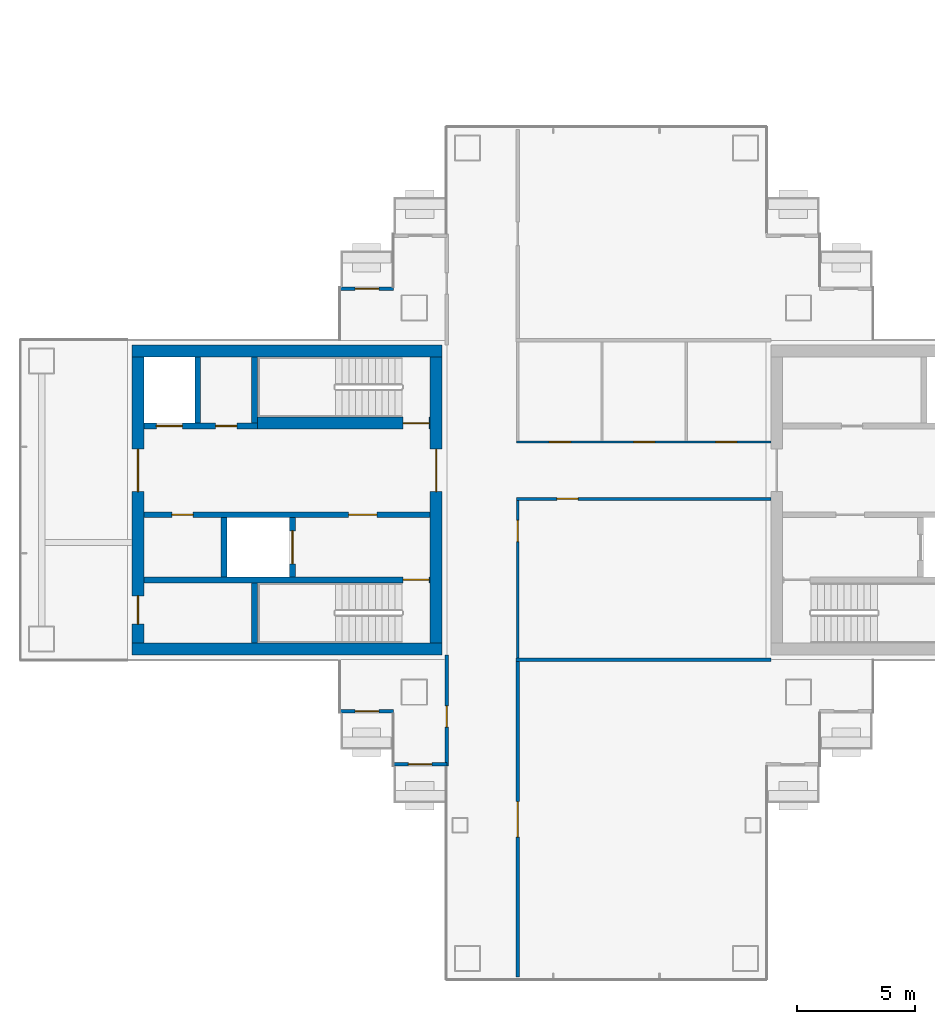
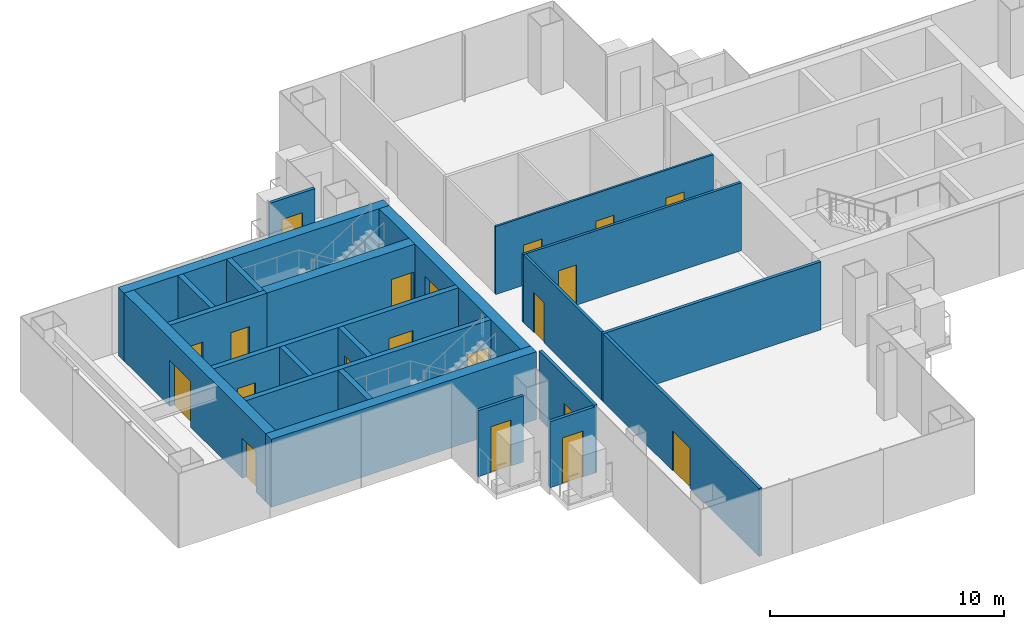
# One storey, part 9 of 17: 22 walls, 20 doors, 20 openings.
"""IFC4 building model written with IfcOpenShell, lengths in metres."""

from ifc_helpers import new_model, si_unit, direction, frame, frame_2d, origin, place, context, subcontext, project, spatial, rectangle, extrude, material, layer, layer_set, type_object, element, fill, save


model = new_model("IFC4")

# Units and contexts
model_context = context("Model", 3, precision=1e-05, world=origin(), true_north=direction((0.0, 1.0)))
body_context = subcontext(model_context, "Body", "Model", "MODEL_VIEW")
ifc_project = project(units=[si_unit("LENGTHUNIT", "METRE"), si_unit("AREAUNIT", "SQUARE_METRE"), si_unit("VOLUMEUNIT", "CUBIC_METRE"), si_unit("PLANEANGLEUNIT", "RADIAN"), si_unit("MASSUNIT", "GRAM", prefix="KILO")], contexts=[model_context])

# Site, building, storey
site_placement = place(None, origin())
site = spatial("IfcSite", under=ifc_project, at=site_placement, CompositionType="ELEMENT")
building_placement = place(site_placement, origin())
building = spatial("IfcBuilding", under=site, at=building_placement, Name="Shamsa Quay Exchange Towers", CompositionType="ELEMENT")
storey_placement = place(building_placement, frame((0.0, 0.0, 170.10009765625)))
storey = spatial("IfcBuildingStorey", under=building, at=storey_placement, Name="L40", CompositionType="ELEMENT", Elevation=170.10009765625)

# Wall, opening, door
ifc_material_1 = material(Name="Aluminium EN AW-6063 T6, black anodised, with black enamelled glass infill", Category="aluminium")
ifc_layer_1 = layer(ifc_material_1, 0.14990234375)
ifc_layer_set_1 = layer_set([ifc_layer_1], Name="BALCONY DOOR BAY WALL 150")
wall_type_1 = type_object("IfcWallType", Name="BALCONY DOOR BAY WALL 150", PredefinedType="SOLIDWALL", material=ifc_layer_set_1)
wall_1_placement = place(storey_placement, frame((-45.0, 8.925048828125, 0.0)))
wall_1 = element("IfcWall", 1, at=wall_1_placement, inside=storey, type_object=wall_type_1, Name="Door bay T1-PKWN L40", PredefinedType="SOLIDWALL", context=body_context, shape_type="SweptSolid", body=[
    extrude(rectangle(XDim=2.25, YDim=0.14990234375, at=frame_2d((1.125, 0.0))), origin(), (0.0, 0.0, 1.0), 3.449951171875),
])
opening_1_placement = place(wall_1_placement, frame((0.625, 0.0, 0.0)))
opening_1 = element("IfcOpeningElement", 2, at=opening_1_placement, cuts=wall_1, Name="Opening XD246", PredefinedType="OPENING", context=body_context, shape_type="SweptSolid", body=[
    extrude(rectangle(XDim=1.0, YDim=2.39990234375, at=frame_2d((0.5, 1.199951171875))), frame((0.0, 0.0849609375, 0.0), z_axis=(0.0, -1.0, 0.0), x_axis=(1.0, 0.0, 0.0)), (0.0, 0.0, 1.0), 0.169921875),
])
ifc_material_2 = material(Name="Aluminium EN AW-6063 T6, black anodised, with laminated glass leaf", Category="aluminium")
door_type_1 = type_object("IfcDoorType", Name="BALCONY DOOR 1000x2400", OperationType="SINGLE_SWING_LEFT", PredefinedType="DOOR", material=ifc_material_2)
door_1_placement = place(opening_1_placement, origin())
door_1 = element("IfcDoor", 3, at=door_1_placement, inside=storey, type_object=door_type_1, Name="Balcony door T1-PKWN L40", OperationType="SINGLE_SWING_RIGHT", OverallHeight=2.39990234375, OverallWidth=1.0, PredefinedType="DOOR", context=body_context, shape_type="SweptSolid", body=[
    extrude(rectangle(XDim=1.0, YDim=2.39990234375, at=frame_2d((0.5, 1.199951171875))), frame((0.0, 0.02490234375, 0.0), z_axis=(0.0, -1.0, 0.0), x_axis=(1.0, 0.0, 0.0)), (0.0, 0.0, 1.0), 0.050048828125),
])
fill(opening_1, door_1)

wall_2_placement = place(storey_placement, frame((-42.75, -8.925048828125, 0.0), z_axis=(0.0, 0.0, 1.0), x_axis=(-1.0, 0.0, 0.0)))
wall_2 = element("IfcWall", 4, at=wall_2_placement, inside=storey, type_object=wall_type_1, Name="Door bay T1-PKWS L40", PredefinedType="SOLIDWALL", context=body_context, shape_type="SweptSolid", body=[
    extrude(rectangle(XDim=2.25, YDim=0.14990234375, at=frame_2d((1.125, 0.0))), origin(), (0.0, 0.0, 1.0), 3.449951171875),
])
opening_2_placement = place(wall_2_placement, frame((0.625, 0.0, 0.0)))
opening_2 = element("IfcOpeningElement", 5, at=opening_2_placement, cuts=wall_2, Name="Opening XD247", PredefinedType="OPENING", context=body_context, shape_type="SweptSolid", body=[
    extrude(rectangle(XDim=1.0, YDim=2.39990234375, at=frame_2d((0.5, 1.199951171875))), frame((0.0, 0.0849609375, 0.0), z_axis=(0.0, -1.0, 0.0), x_axis=(1.0, 0.0, 0.0)), (0.0, 0.0, 1.0), 0.169921875),
])
door_2_placement = place(opening_2_placement, origin())
door_2 = element("IfcDoor", 6, at=door_2_placement, inside=storey, type_object=door_type_1, Name="Balcony door T1-PKWS L40", OperationType="SINGLE_SWING_LEFT", OverallHeight=2.39990234375, OverallWidth=1.0, PredefinedType="DOOR", context=body_context, shape_type="SweptSolid", body=[
    extrude(rectangle(XDim=1.0, YDim=2.39990234375, at=frame_2d((0.5, 1.199951171875))), frame((0.0, 0.02490234375, 0.0), z_axis=(0.0, -1.0, 0.0), x_axis=(1.0, 0.0, 0.0)), (0.0, 0.0, 1.0), 0.050048828125),
])
fill(opening_2, door_2)

wall_3_placement = place(storey_placement, frame((-40.5, -11.175048828125, 0.0), z_axis=(0.0, 0.0, 1.0), x_axis=(-1.0, 0.0, 0.0)))
wall_3 = element("IfcWall", 7, at=wall_3_placement, inside=storey, type_object=wall_type_1, Name="Door bay T1-PKWS L40", PredefinedType="SOLIDWALL", context=body_context, shape_type="SweptSolid", body=[
    extrude(rectangle(XDim=2.25, YDim=0.14990234375, at=frame_2d((1.125, 0.0))), origin(), (0.0, 0.0, 1.0), 3.449951171875),
])
opening_3_placement = place(wall_3_placement, frame((0.625, 0.0, 0.0)))
opening_3 = element("IfcOpeningElement", 8, at=opening_3_placement, cuts=wall_3, Name="Opening XD248", PredefinedType="OPENING", context=body_context, shape_type="SweptSolid", body=[
    extrude(rectangle(XDim=1.0, YDim=2.39990234375, at=frame_2d((0.5, 1.199951171875))), frame((0.0, 0.0849609375, 0.0), z_axis=(0.0, -1.0, 0.0), x_axis=(1.0, 0.0, 0.0)), (0.0, 0.0, 1.0), 0.169921875),
])
door_3_placement = place(opening_3_placement, origin())
door_3 = element("IfcDoor", 9, at=door_3_placement, inside=storey, type_object=door_type_1, Name="Balcony door T1-PKWS L40", OperationType="SINGLE_SWING_RIGHT", OverallHeight=2.39990234375, OverallWidth=1.0, PredefinedType="DOOR", context=body_context, shape_type="SweptSolid", body=[
    extrude(rectangle(XDim=1.0, YDim=2.39990234375, at=frame_2d((0.5, 1.199951171875))), frame((0.0, 0.02490234375, 0.0), z_axis=(0.0, -1.0, 0.0), x_axis=(1.0, 0.0, 0.0)), (0.0, 0.0, 1.0), 0.050048828125),
])
fill(opening_3, door_3)

# Walls
ifc_material_3 = material(Name="Concrete C60/75", Category="concrete")
ifc_layer_2 = layer(ifc_material_3, 0.5)
ifc_layer_set_2 = layer_set([ifc_layer_2], Name="CORE WALL 500 C60/75")
wall_type_2 = type_object("IfcWallType", Name="CORE WALL 500 C60/75", PredefinedType="SHEAR", material=ifc_layer_set_2)
for number, where, z_axis, x_axis, name in (
    (10, (-40.699951171875, -6.300048828125, 0.0), (0.0, 0.0, 1.0), (-1.0, 0.0, 0.0), "Core wall T1B-R19-PS"),
    (11, (-40.699951171875, 6.300048828125, 0.0), (0.0, 0.0, 1.0), (-1.0, 0.0, 0.0), "Core wall T1B-R19-PN"),
):
    element("IfcWall", number, at=place(storey_placement, frame(where, z_axis=z_axis, x_axis=x_axis)), inside=storey, type_object=wall_type_2, Name=name, PredefinedType="SHEAR", context=body_context, shape_type="SweptSolid", body=[
        extrude(rectangle(XDim=13.10009765625, YDim=0.5, at=frame_2d((6.550048828125, 0.0))), origin(), (0.0, 0.0, 1.0), 3.5498046875),
    ])

# Wall, opening, door
wall_4_placement = place(storey_placement, frame((-40.949951171875, -6.050048828125, 0.0), z_axis=(0.0, 0.0, 1.0), x_axis=(0.0, 1.0, 0.0)))
wall_4 = element("IfcWall", 12, at=wall_4_placement, inside=storey, type_object=wall_type_2, Name="Core wall T1B-R19-PF", PredefinedType="SHEAR", context=body_context, shape_type="SweptSolid", body=[
    extrude(rectangle(XDim=12.10009765625, YDim=0.5, at=frame_2d((6.050048828125, 0.0))), origin(), (0.0, 0.0, 1.0), 3.5498046875),
])
opening_4_placement = place(wall_4_placement, frame((6.39990234375, 0.0, 0.0)))
opening_4 = element("IfcOpeningElement", 13, at=opening_4_placement, cuts=wall_4, Name="Opening T1B-R19-LBD01", PredefinedType="OPENING", context=body_context, shape_type="SweptSolid", body=[
    extrude(rectangle(XDim=1.800048828125, YDim=2.39990234375, at=frame_2d((0.89990234375, 1.199951171875))), frame((0.0, 0.260009765625, 0.0), z_axis=(0.0, -1.0, 0.0), x_axis=(1.0, 0.0, 0.0)), (0.0, 0.0, 1.0), 0.52001953125),
])
ifc_material_4 = material(Name="Steel, fire rated", Category="steel")
door_type_2 = type_object("IfcDoorType", Name="LIFT LOBBY DOOR PAIR 1800", OperationType="DOUBLE_DOOR_SINGLE_SWING", PredefinedType="DOOR", material=ifc_material_4)
door_4_placement = place(opening_4_placement, origin())
door_4 = element("IfcDoor", 14, at=door_4_placement, inside=storey, type_object=door_type_2, Name="T1B-R19-LBD01", OperationType="DOUBLE_DOOR_SINGLE_SWING", OverallHeight=2.39990234375, OverallWidth=1.800048828125, PredefinedType="DOOR", context=body_context, shape_type="SweptSolid", body=[
    extrude(rectangle(XDim=1.800048828125, YDim=2.39990234375, at=frame_2d((0.89990234375, 1.199951171875))), frame((0.0, 0.02490234375, 0.0), z_axis=(0.0, -1.0, 0.0), x_axis=(1.0, 0.0, 0.0)), (0.0, 0.0, 1.0), 0.050048828125),
])
fill(opening_4, door_4)

# Wall, openings, doors
wall_5_placement = place(storey_placement, frame((-53.550048828125, -6.050048828125, 0.0), z_axis=(0.0, 0.0, 1.0), x_axis=(0.0, 1.0, 0.0)))
wall_5 = element("IfcWall", 15, at=wall_5_placement, inside=storey, type_object=wall_type_2, Name="Core wall T1B-R19-PB", PredefinedType="SHEAR", context=body_context, shape_type="SweptSolid", body=[
    extrude(rectangle(XDim=12.10009765625, YDim=0.5, at=frame_2d((6.050048828125, 0.0))), origin(), (0.0, 0.0, 1.0), 3.5498046875),
])
opening_5_placement = place(wall_5_placement, frame((0.800048828125, 0.0, 0.0)))
opening_5 = element("IfcOpeningElement", 16, at=opening_5_placement, cuts=wall_5, Name="Opening T1B-R19-RD02", PredefinedType="OPENING", context=body_context, shape_type="SweptSolid", body=[
    extrude(rectangle(XDim=1.199951171875, YDim=2.10009765625, at=frame_2d((0.60009765625, 1.050048828125))), frame((0.0, 0.260009765625, 0.0), z_axis=(0.0, -1.0, 0.0), x_axis=(1.0, 0.0, 0.0)), (0.0, 0.0, 1.0), 0.52001953125),
])
opening_6_placement = place(wall_5_placement, frame((6.39990234375, 0.0, 0.0)))
opening_6 = element("IfcOpeningElement", 17, at=opening_6_placement, cuts=wall_5, Name="Opening T1B-R19-LBD03", PredefinedType="OPENING", context=body_context, shape_type="SweptSolid", body=[
    extrude(rectangle(XDim=1.800048828125, YDim=2.39990234375, at=frame_2d((0.89990234375, 1.199951171875))), frame((0.0, 0.260009765625, 0.0), z_axis=(0.0, -1.0, 0.0), x_axis=(1.0, 0.0, 0.0)), (0.0, 0.0, 1.0), 0.52001953125),
])
door_5_placement = place(opening_6_placement, origin())
door_5 = element("IfcDoor", 18, at=door_5_placement, inside=storey, type_object=door_type_2, Name="T1B-R19-LBD03", OperationType="DOUBLE_DOOR_SINGLE_SWING", OverallHeight=2.39990234375, OverallWidth=1.800048828125, PredefinedType="DOOR", context=body_context, shape_type="SweptSolid", body=[
    extrude(rectangle(XDim=1.800048828125, YDim=2.39990234375, at=frame_2d((0.89990234375, 1.199951171875))), frame((0.0, 0.02490234375, 0.0), z_axis=(0.0, -1.0, 0.0), x_axis=(1.0, 0.0, 0.0)), (0.0, 0.0, 1.0), 0.050048828125),
])
fill(opening_6, door_5)
door_type_3 = type_object("IfcDoorType", Name="RISER ACCESS DOOR 1200", OperationType="SINGLE_SWING_LEFT", PredefinedType="DOOR", material=ifc_material_4)
door_6_placement = place(opening_5_placement, origin())
door_6 = element("IfcDoor", 19, at=door_6_placement, inside=storey, type_object=door_type_3, Name="T1B-R19-RD02", OperationType="SINGLE_SWING_LEFT", OverallHeight=2.10009765625, OverallWidth=1.199951171875, PredefinedType="DOOR", context=body_context, shape_type="SweptSolid", body=[
    extrude(rectangle(XDim=1.199951171875, YDim=2.10009765625, at=frame_2d((0.60009765625, 1.050048828125))), frame((0.0, 0.02490234375, 0.0), z_axis=(0.0, -1.0, 0.0), x_axis=(1.0, 0.0, 0.0)), (0.0, 0.0, 1.0), 0.050048828125),
])
fill(opening_5, door_6)

# Wall, opening, door
ifc_material_5 = material(Name="Laminated fire-resisting glass in a metal frame", Category="glass")
ifc_layer_3 = layer(ifc_material_5, 0.125)
ifc_layer_set_3 = layer_set([ifc_layer_3], Name="Glazed partition 125 mm EI 60")
wall_type_3 = type_object("IfcWallType", Name="Glazed partition 125 mm EI 60", PredefinedType="PARTITIONING", material=ifc_layer_set_3)
wall_6_placement = place(storey_placement, frame((-37.5625, 0.0498046875, 0.0)))
wall_6 = element("IfcWall", 20, at=wall_6_placement, inside=storey, type_object=wall_type_3, Name="Partition T1-R19-W05", PredefinedType="PARTITIONING", context=body_context, shape_type="SweptSolid", body=[
    extrude(rectangle(XDim=10.762451171875, YDim=0.125, at=frame_2d((5.38134765625, 0.0))), origin(), (0.0, 0.0, 1.0), 3.5498046875),
])
opening_7_placement = place(wall_6_placement, frame((1.71240234375, 0.0, 0.0)))
opening_7 = element("IfcOpeningElement", 21, at=opening_7_placement, cuts=wall_6, Name="Opening T1-R19-D05", PredefinedType="OPENING", context=body_context, shape_type="SweptSolid", body=[
    extrude(rectangle(XDim=0.89990234375, YDim=2.10009765625, at=frame_2d((0.449951171875, 1.050048828125))), frame((0.0, 0.072509765625, 0.0), z_axis=(0.0, -1.0, 0.0), x_axis=(1.0, 0.0, 0.0)), (0.0, 0.0, 1.0), 0.14501953125),
])
ifc_material_6 = material(Name="Timber door leaf in a metal frame", Category="wood")
door_type_4 = type_object("IfcDoorType", Name="Door 900x2100 FD30S", OperationType="NOTDEFINED", PredefinedType="DOOR", material=ifc_material_6)
door_7_placement = place(opening_7_placement, origin())
door_7 = element("IfcDoor", 22, at=door_7_placement, inside=storey, type_object=door_type_4, Name="Door T1-R19-D05", OperationType="SINGLE_SWING_LEFT", OverallHeight=2.10009765625, OverallWidth=0.89990234375, PredefinedType="DOOR", context=body_context, shape_type="SweptSolid", body=[
    extrude(rectangle(XDim=0.89990234375, YDim=2.10009765625, at=frame_2d((0.449951171875, 1.050048828125))), frame((0.0, 0.02490234375, 0.0), z_axis=(0.0, -1.0, 0.0), x_axis=(1.0, 0.0, 0.0)), (0.0, 0.0, 1.0), 0.050048828125),
])
fill(opening_7, door_7)

wall_7_placement = place(storey_placement, frame((-37.5, -6.675048828125, 0.0), z_axis=(0.0, 0.0, 1.0), x_axis=(0.0, 1.0, 0.0)))
wall_7 = element("IfcWall", 23, at=wall_7_placement, inside=storey, type_object=wall_type_3, Name="Partition T1-R19-W06", PredefinedType="PARTITIONING", context=body_context, shape_type="SweptSolid", body=[
    extrude(rectangle(XDim=6.662353515625, YDim=0.125, at=frame_2d((3.3310546875, 0.0))), origin(), (0.0, 0.0, 1.0), 3.5498046875),
])
opening_8_placement = place(wall_7_placement, frame((4.914794921875, 0.0, 0.0)))
opening_8 = element("IfcOpeningElement", 24, at=opening_8_placement, cuts=wall_7, Name="Opening T1-R19-D03", PredefinedType="OPENING", context=body_context, shape_type="SweptSolid", body=[
    extrude(rectangle(XDim=0.89990234375, YDim=2.10009765625, at=frame_2d((0.449951171875, 1.050048828125))), frame((0.0, 0.072509765625, 0.0), z_axis=(0.0, -1.0, 0.0), x_axis=(1.0, 0.0, 0.0)), (0.0, 0.0, 1.0), 0.14501953125),
])
door_8_placement = place(opening_8_placement, origin())
door_8 = element("IfcDoor", 25, at=door_8_placement, inside=storey, type_object=door_type_4, Name="Door T1-R19-D03", OperationType="SINGLE_SWING_RIGHT", OverallHeight=2.10009765625, OverallWidth=0.89990234375, PredefinedType="DOOR", context=body_context, shape_type="SweptSolid", body=[
    extrude(rectangle(XDim=0.89990234375, YDim=2.10009765625, at=frame_2d((0.449951171875, 1.050048828125))), frame((0.0, 0.02490234375, 0.0), z_axis=(0.0, -1.0, 0.0), x_axis=(1.0, 0.0, 0.0)), (0.0, 0.0, 1.0), 0.050048828125),
])
fill(opening_8, door_8)

# Wall, openings, doors
ifc_material_7 = material(Name="Gypsum board partition on metal studs")
ifc_layer_4 = layer(ifc_material_7, 0.10009765625)
ifc_layer_set_4 = layer_set([ifc_layer_4], Name="Partition 100 mm NOT RATED")
wall_type_4 = type_object("IfcWallType", Name="Partition 100 mm NOT RATED", PredefinedType="PARTITIONING", material=ifc_layer_set_4)
wall_8_placement = place(storey_placement, frame((-37.550048828125, 2.4501953125, 0.0)))
wall_8 = element("IfcWall", 26, at=wall_8_placement, inside=storey, type_object=wall_type_4, Name="Partition T1-R19-W04", PredefinedType="PARTITIONING", context=body_context, shape_type="SweptSolid", body=[
    extrude(rectangle(XDim=10.75, YDim=0.10009765625, at=frame_2d((5.375, 0.0))), origin(), (0.0, 0.0, 1.0), 3.5498046875),
])
opening_9_placement = place(wall_8_placement, frame((1.38134765625, 0.0, 0.0)))
opening_9 = element("IfcOpeningElement", 27, at=opening_9_placement, cuts=wall_8, Name="Opening T1-R19-D06", PredefinedType="OPENING", context=body_context, shape_type="SweptSolid", body=[
    extrude(rectangle(XDim=0.89990234375, YDim=2.10009765625, at=frame_2d((0.449951171875, 1.050048828125))), frame((0.0, 0.06005859375, 0.0), z_axis=(0.0, -1.0, 0.0), x_axis=(1.0, 0.0, 0.0)), (0.0, 0.0, 1.0), 0.1201171875),
])
opening_10_placement = place(wall_8_placement, frame((4.943603515625, 0.0, 0.0)))
opening_10 = element("IfcOpeningElement", 28, at=opening_10_placement, cuts=wall_8, Name="Opening T1-R19-D07", PredefinedType="OPENING", context=body_context, shape_type="SweptSolid", body=[
    extrude(rectangle(XDim=0.89990234375, YDim=2.10009765625, at=frame_2d((0.449951171875, 1.050048828125))), frame((0.0, 0.06005859375, 0.0), z_axis=(0.0, -1.0, 0.0), x_axis=(1.0, 0.0, 0.0)), (0.0, 0.0, 1.0), 0.1201171875),
])
opening_11_placement = place(wall_8_placement, frame((8.41259765625, 0.0, 0.0)))
opening_11 = element("IfcOpeningElement", 29, at=opening_11_placement, cuts=wall_8, Name="Opening T1-R19-D08", PredefinedType="OPENING", context=body_context, shape_type="SweptSolid", body=[
    extrude(rectangle(XDim=0.89990234375, YDim=2.10009765625, at=frame_2d((0.449951171875, 1.050048828125))), frame((0.0, 0.06005859375, 0.0), z_axis=(0.0, -1.0, 0.0), x_axis=(1.0, 0.0, 0.0)), (0.0, 0.0, 1.0), 0.1201171875),
])
door_type_5 = type_object("IfcDoorType", Name="Door 900x2100 NOT RATED", OperationType="NOTDEFINED", PredefinedType="DOOR", material=ifc_material_6)
door_9_placement = place(opening_9_placement, origin())
door_9 = element("IfcDoor", 30, at=door_9_placement, inside=storey, type_object=door_type_5, Name="Door T1-R19-D06", OperationType="SINGLE_SWING_LEFT", OverallHeight=2.10009765625, OverallWidth=0.89990234375, PredefinedType="DOOR", context=body_context, shape_type="SweptSolid", body=[
    extrude(rectangle(XDim=0.89990234375, YDim=2.10009765625, at=frame_2d((0.449951171875, 1.050048828125))), frame((0.0, 0.02490234375, 0.0), z_axis=(0.0, -1.0, 0.0), x_axis=(1.0, 0.0, 0.0)), (0.0, 0.0, 1.0), 0.050048828125),
])
fill(opening_9, door_9)
door_10_placement = place(opening_10_placement, origin())
door_10 = element("IfcDoor", 31, at=door_10_placement, inside=storey, type_object=door_type_5, Name="Door T1-R19-D07", OperationType="SINGLE_SWING_LEFT", OverallHeight=2.10009765625, OverallWidth=0.89990234375, PredefinedType="DOOR", context=body_context, shape_type="SweptSolid", body=[
    extrude(rectangle(XDim=0.89990234375, YDim=2.10009765625, at=frame_2d((0.449951171875, 1.050048828125))), frame((0.0, 0.02490234375, 0.0), z_axis=(0.0, -1.0, 0.0), x_axis=(1.0, 0.0, 0.0)), (0.0, 0.0, 1.0), 0.050048828125),
])
fill(opening_10, door_10)
door_11_placement = place(opening_11_placement, origin())
door_11 = element("IfcDoor", 32, at=door_11_placement, inside=storey, type_object=door_type_5, Name="Door T1-R19-D08", OperationType="SINGLE_SWING_RIGHT", OverallHeight=2.10009765625, OverallWidth=0.89990234375, PredefinedType="DOOR", context=body_context, shape_type="SweptSolid", body=[
    extrude(rectangle(XDim=0.89990234375, YDim=2.10009765625, at=frame_2d((0.449951171875, 1.050048828125))), frame((0.0, 0.02490234375, 0.0), z_axis=(0.0, -1.0, 0.0), x_axis=(1.0, 0.0, 0.0)), (0.0, 0.0, 1.0), 0.050048828125),
])
fill(opening_11, door_11)

# Wall, opening, door
ifc_layer_5 = layer(ifc_material_7, 0.14990234375)
ifc_layer_set_5 = layer_set([ifc_layer_5], Name="Partition 150 mm EI 60")
wall_type_5 = type_object("IfcWallType", Name="Partition 150 mm EI 60", PredefinedType="PARTITIONING", material=ifc_layer_set_5)
wall_9_placement = place(storey_placement, frame((-37.5, -6.824951171875, 0.0), z_axis=(0.0, 0.0, 1.0), x_axis=(0.0, -1.0, 0.0)))
wall_9 = element("IfcWall", 33, at=wall_9_placement, inside=storey, type_object=wall_type_5, Name="Partition T1-R19-W02", PredefinedType="PARTITIONING", context=body_context, shape_type="SweptSolid", body=[
    extrude(rectangle(XDim=13.330078125, YDim=0.14990234375, at=frame_2d((6.6650390625, 0.0))), origin(), (0.0, 0.0, 1.0), 3.5498046875),
])
opening_12_placement = place(wall_9_placement, frame((5.925048828125, 0.0, 0.0)))
opening_12 = element("IfcOpeningElement", 34, at=opening_12_placement, cuts=wall_9, Name="Opening T1-R19-D04", PredefinedType="OPENING", context=body_context, shape_type="SweptSolid", body=[
    extrude(rectangle(XDim=1.5, YDim=2.10009765625, at=frame_2d((0.75, 1.050048828125))), frame((0.0, 0.0849609375, 0.0), z_axis=(0.0, -1.0, 0.0), x_axis=(1.0, 0.0, 0.0)), (0.0, 0.0, 1.0), 0.169921875),
])
door_type_6 = type_object("IfcDoorType", Name="Door 1500x2100 FD30S pair", OperationType="NOTDEFINED", PredefinedType="DOOR", material=ifc_material_6)
door_12_placement = place(opening_12_placement, origin())
door_12 = element("IfcDoor", 35, at=door_12_placement, inside=storey, type_object=door_type_6, Name="Door T1-R19-D04", OperationType="DOUBLE_DOOR_SINGLE_SWING", OverallHeight=2.10009765625, OverallWidth=1.5, PredefinedType="DOOR", context=body_context, shape_type="SweptSolid", body=[
    extrude(rectangle(XDim=1.5, YDim=2.10009765625, at=frame_2d((0.75, 1.050048828125))), frame((0.0, 0.02490234375, 0.0), z_axis=(0.0, -1.0, 0.0), x_axis=(1.0, 0.0, 0.0)), (0.0, 0.0, 1.0), 0.050048828125),
])
fill(opening_12, door_12)

wall_10_placement = place(storey_placement, frame((-40.5, -11.25, 0.0), z_axis=(0.0, 0.0, 1.0), x_axis=(0.0, 1.0, 0.0)))
wall_10 = element("IfcWall", 36, at=wall_10_placement, inside=storey, type_object=wall_type_5, Name="Partition T1-R19-W07", PredefinedType="PARTITIONING", context=body_context, shape_type="SweptSolid", body=[
    extrude(rectangle(XDim=4.699951171875, YDim=0.14990234375, at=frame_2d((2.35009765625, 0.0))), origin(), (0.0, 0.0, 1.0), 3.5498046875),
])
opening_13_placement = place(wall_10_placement, frame((1.64990234375, 0.0, 0.0)))
opening_13 = element("IfcOpeningElement", 37, at=opening_13_placement, cuts=wall_10, Name="Opening T1-R19-D01", PredefinedType="OPENING", context=body_context, shape_type="SweptSolid", body=[
    extrude(rectangle(XDim=0.89990234375, YDim=2.10009765625, at=frame_2d((0.449951171875, 1.050048828125))), frame((0.0, 0.0849609375, 0.0), z_axis=(0.0, -1.0, 0.0), x_axis=(1.0, 0.0, 0.0)), (0.0, 0.0, 1.0), 0.169921875),
])
door_13_placement = place(opening_13_placement, origin())
door_13 = element("IfcDoor", 38, at=door_13_placement, inside=storey, type_object=door_type_4, Name="Door T1-R19-D01", OperationType="SINGLE_SWING_LEFT", OverallHeight=2.10009765625, OverallWidth=0.89990234375, PredefinedType="DOOR", context=body_context, shape_type="SweptSolid", body=[
    extrude(rectangle(XDim=0.89990234375, YDim=2.10009765625, at=frame_2d((0.449951171875, 1.050048828125))), frame((0.0, 0.02490234375, 0.0), z_axis=(0.0, -1.0, 0.0), x_axis=(1.0, 0.0, 0.0)), (0.0, 0.0, 1.0), 0.050048828125),
])
fill(opening_13, door_13)

# Wall
wall_11_placement = place(storey_placement, frame((-26.800048828125, -6.75, 0.0), z_axis=(0.0, 0.0, 1.0), x_axis=(-1.0, 0.0, 0.0)))
element("IfcWall", 39, at=wall_11_placement, inside=storey, type_object=wall_type_5, Name="Partition T1-R19-W12", PredefinedType="PARTITIONING", context=body_context, shape_type="SweptSolid", body=[
    extrude(rectangle(XDim=10.77490234375, YDim=0.14990234375, at=frame_2d((5.387451171875, 0.0))), origin(), (0.0, 0.0, 1.0), 3.5498046875),
])

# Wall, opening, door
ifc_material_8 = material(Name="Concrete C50/60", Category="concrete")
ifc_layer_6 = layer(ifc_material_8, 0.25)
ifc_layer_set_6 = layer_set([ifc_layer_6], Name="SHAFT WALL 250 C50/60")
wall_type_6 = type_object("IfcWallType", Name="SHAFT WALL 250 C50/60", PredefinedType="SHEAR", material=ifc_layer_set_6)
wall_12_placement = place(storey_placement, frame((-41.199951171875, -3.375, 0.0), z_axis=(0.0, 0.0, 1.0), x_axis=(-1.0, 0.0, 0.0)))
wall_12 = element("IfcWall", 40, at=wall_12_placement, inside=storey, type_object=wall_type_6, Name="Shaft wall T1B-R19-STL", PredefinedType="SHEAR", context=body_context, shape_type="SweptSolid", body=[
    extrude(rectangle(XDim=12.10009765625, YDim=0.25, at=frame_2d((6.050048828125, 0.0))), origin(), (0.0, 0.0, 1.0), 3.5498046875),
])
opening_14_placement = place(wall_12_placement, frame((0.050048828125, 0.0, 0.0)))
opening_14 = element("IfcOpeningElement", 41, at=opening_14_placement, cuts=wall_12, Name="Opening T1B-R19-SD04", PredefinedType="OPENING", context=body_context, shape_type="SweptSolid", body=[
    extrude(rectangle(XDim=1.10009765625, YDim=2.10009765625, at=frame_2d((0.550048828125, 1.050048828125))), frame((0.0, 0.135009765625, 0.0), z_axis=(0.0, -1.0, 0.0), x_axis=(1.0, 0.0, 0.0)), (0.0, 0.0, 1.0), 0.27001953125),
])
door_type_7 = type_object("IfcDoorType", Name="STAIR DOOR 1100", OperationType="SINGLE_SWING_LEFT", PredefinedType="DOOR", material=ifc_material_4)
door_14_placement = place(opening_14_placement, origin())
door_14 = element("IfcDoor", 42, at=door_14_placement, inside=storey, type_object=door_type_7, Name="T1B-R19-SD04", OperationType="SINGLE_SWING_LEFT", OverallHeight=2.10009765625, OverallWidth=1.10009765625, PredefinedType="DOOR", context=body_context, shape_type="SweptSolid", body=[
    extrude(rectangle(XDim=1.10009765625, YDim=2.10009765625, at=frame_2d((0.550048828125, 1.050048828125))), frame((0.0, 0.02490234375, 0.0), z_axis=(0.0, -1.0, 0.0), x_axis=(1.0, 0.0, 0.0)), (0.0, 0.0, 1.0), 0.050048828125),
])
fill(opening_14, door_14)

# Wall
wall_13_placement = place(storey_placement, frame((-48.625, -6.050048828125, 0.0), z_axis=(0.0, 0.0, 1.0), x_axis=(0.0, 1.0, 0.0)))
element("IfcWall", 43, at=wall_13_placement, inside=storey, type_object=wall_type_6, Name="Shaft wall T1B-R19-STF", PredefinedType="SHEAR", context=body_context, shape_type="SweptSolid", body=[
    extrude(rectangle(XDim=2.550048828125, YDim=0.25, at=frame_2d((1.27490234375, 0.0))), origin(), (0.0, 0.0, 1.0), 3.5498046875),
])

# Wall, openings, doors
wall_14_placement = place(storey_placement, frame((-41.199951171875, -0.625, 0.0), z_axis=(0.0, 0.0, 1.0), x_axis=(-1.0, 0.0, 0.0)))
wall_14 = element("IfcWall", 44, at=wall_14_placement, inside=storey, type_object=wall_type_6, Name="Shaft wall T1B-R19-B", PredefinedType="SHEAR", context=body_context, shape_type="SweptSolid", body=[
    extrude(rectangle(XDim=12.10009765625, YDim=0.25, at=frame_2d((6.050048828125, 0.0))), origin(), (0.0, 0.0, 1.0), 3.5498046875),
])
opening_15_placement = place(wall_14_placement, frame((2.25, 0.0, 0.0)))
opening_15 = element("IfcOpeningElement", 45, at=opening_15_placement, cuts=wall_14, Name="Opening T1B-R19-FD05", PredefinedType="OPENING", context=body_context, shape_type="SweptSolid", body=[
    extrude(rectangle(XDim=1.199951171875, YDim=2.10009765625, at=frame_2d((0.60009765625, 1.050048828125))), frame((0.0, 0.135009765625, 0.0), z_axis=(0.0, -1.0, 0.0), x_axis=(1.0, 0.0, 0.0)), (0.0, 0.0, 1.0), 0.27001953125),
])
opening_16_placement = place(wall_14_placement, frame((10.02490234375, 0.0, 0.0)))
opening_16 = element("IfcOpeningElement", 46, at=opening_16_placement, cuts=wall_14, Name="Opening T1B-R19-SV06", PredefinedType="OPENING", context=body_context, shape_type="SweptSolid", body=[
    extrude(rectangle(XDim=0.89990234375, YDim=2.10009765625, at=frame_2d((0.449951171875, 1.050048828125))), frame((0.0, 0.135009765625, 0.0), z_axis=(0.0, -1.0, 0.0), x_axis=(1.0, 0.0, 0.0)), (0.0, 0.0, 1.0), 0.27001953125),
])
door_type_8 = type_object("IfcDoorType", Name="FIRE SERVICE LOBBY DOOR 1200", OperationType="SINGLE_SWING_LEFT", PredefinedType="DOOR", material=ifc_material_4)
door_15_placement = place(opening_15_placement, origin())
door_15 = element("IfcDoor", 47, at=door_15_placement, inside=storey, type_object=door_type_8, Name="T1B-R19-FD05", OperationType="SINGLE_SWING_LEFT", OverallHeight=2.10009765625, OverallWidth=1.199951171875, PredefinedType="DOOR", context=body_context, shape_type="SweptSolid", body=[
    extrude(rectangle(XDim=1.199951171875, YDim=2.10009765625, at=frame_2d((0.60009765625, 1.050048828125))), frame((0.0, 0.02490234375, 0.0), z_axis=(0.0, -1.0, 0.0), x_axis=(1.0, 0.0, 0.0)), (0.0, 0.0, 1.0), 0.050048828125),
])
fill(opening_15, door_15)
door_type_9 = type_object("IfcDoorType", Name="SERVICE ROOM DOOR 900", OperationType="SINGLE_SWING_LEFT", PredefinedType="DOOR", material=ifc_material_4)
door_16_placement = place(opening_16_placement, origin())
door_16 = element("IfcDoor", 48, at=door_16_placement, inside=storey, type_object=door_type_9, Name="T1B-R19-SV06", OperationType="SINGLE_SWING_RIGHT", OverallHeight=2.10009765625, OverallWidth=0.89990234375, PredefinedType="DOOR", context=body_context, shape_type="SweptSolid", body=[
    extrude(rectangle(XDim=0.89990234375, YDim=2.10009765625, at=frame_2d((0.449951171875, 1.050048828125))), frame((0.0, 0.02490234375, 0.0), z_axis=(0.0, -1.0, 0.0), x_axis=(1.0, 0.0, 0.0)), (0.0, 0.0, 1.0), 0.050048828125),
])
fill(opening_16, door_16)

# Wall, opening, door
wall_15_placement = place(storey_placement, frame((-47.02490234375, -3.25, 0.0), z_axis=(0.0, 0.0, 1.0), x_axis=(0.0, 1.0, 0.0)))
wall_15 = element("IfcWall", 49, at=wall_15_placement, inside=storey, type_object=wall_type_6, Name="Shaft wall T1B-R19-FFF", PredefinedType="SHEAR", context=body_context, shape_type="SweptSolid", body=[
    extrude(rectangle(XDim=2.5, YDim=0.25, at=frame_2d((1.25, 0.0))), origin(), (0.0, 0.0, 1.0), 3.5498046875),
])
opening_17_placement = place(wall_15_placement, frame((0.550048828125, 0.0, 0.0)))
opening_17 = element("IfcOpeningElement", 50, at=opening_17_placement, cuts=wall_15, Name="Opening T1B-R19-LDG07", PredefinedType="OPENING", context=body_context, shape_type="SweptSolid", body=[
    extrude(rectangle(XDim=1.39990234375, YDim=2.39990234375, at=frame_2d((0.699951171875, 1.199951171875))), frame((0.0, 0.135009765625, 0.0), z_axis=(0.0, -1.0, 0.0), x_axis=(1.0, 0.0, 0.0)), (0.0, 0.0, 1.0), 0.27001953125),
])
door_type_10 = type_object("IfcDoorType", Name="GOODS LIFT LANDING DOOR 1400", OperationType="SLIDING_TO_LEFT", PredefinedType="DOOR", material=ifc_material_4)
door_17_placement = place(opening_17_placement, origin())
door_17 = element("IfcDoor", 51, at=door_17_placement, inside=storey, type_object=door_type_10, Name="T1B-R19-LDG07", OperationType="SLIDING_TO_LEFT", OverallHeight=2.39990234375, OverallWidth=1.39990234375, PredefinedType="DOOR", context=body_context, shape_type="SweptSolid", body=[
    extrude(rectangle(XDim=1.39990234375, YDim=2.39990234375, at=frame_2d((0.699951171875, 1.199951171875))), frame((0.0, 0.02490234375, 0.0), z_axis=(0.0, -1.0, 0.0), x_axis=(1.0, 0.0, 0.0)), (0.0, 0.0, 1.0), 0.050048828125),
])
fill(opening_17, door_17)

# Wall
wall_16_placement = place(storey_placement, frame((-49.925048828125, -3.25, 0.0), z_axis=(0.0, 0.0, 1.0), x_axis=(0.0, 1.0, 0.0)))
element("IfcWall", 52, at=wall_16_placement, inside=storey, type_object=wall_type_6, Name="Shaft wall T1B-R19-FFB", PredefinedType="SHEAR", context=body_context, shape_type="SweptSolid", body=[
    extrude(rectangle(XDim=2.5, YDim=0.25, at=frame_2d((1.25, 0.0))), origin(), (0.0, 0.0, 1.0), 3.5498046875),
])

# Wall, openings, doors
wall_17_placement = place(storey_placement, frame((-53.300048828125, 3.125, 0.0)))
wall_17 = element("IfcWall", 53, at=wall_17_placement, inside=storey, type_object=wall_type_6, Name="Shaft wall T1B-R19-N2", PredefinedType="SHEAR", context=body_context, shape_type="SweptSolid", body=[
    extrude(rectangle(XDim=4.800048828125, YDim=0.25, at=frame_2d((2.39990234375, 0.0))), origin(), (0.0, 0.0, 1.0), 3.5498046875),
])
opening_18_placement = place(wall_17_placement, frame((0.52490234375, 0.0, 0.0)))
opening_18 = element("IfcOpeningElement", 54, at=opening_18_placement, cuts=wall_17, Name="Opening T1B-R19-LD09", PredefinedType="OPENING", context=body_context, shape_type="SweptSolid", body=[
    extrude(rectangle(XDim=1.10009765625, YDim=2.10009765625, at=frame_2d((0.550048828125, 1.050048828125))), frame((0.0, 0.135009765625, 0.0), z_axis=(0.0, -1.0, 0.0), x_axis=(1.0, 0.0, 0.0)), (0.0, 0.0, 1.0), 0.27001953125),
])
opening_19_placement = place(wall_17_placement, frame((3.02490234375, 0.0, 0.0)))
opening_19 = element("IfcOpeningElement", 55, at=opening_19_placement, cuts=wall_17, Name="Opening T1B-R19-SV10", PredefinedType="OPENING", context=body_context, shape_type="SweptSolid", body=[
    extrude(rectangle(XDim=0.89990234375, YDim=2.10009765625, at=frame_2d((0.449951171875, 1.050048828125))), frame((0.0, 0.135009765625, 0.0), z_axis=(0.0, -1.0, 0.0), x_axis=(1.0, 0.0, 0.0)), (0.0, 0.0, 1.0), 0.27001953125),
])
door_type_11 = type_object("IfcDoorType", Name="LANDING DOOR 1100", OperationType="SLIDING_TO_LEFT", PredefinedType="DOOR", material=ifc_material_4)
door_18_placement = place(opening_18_placement, origin())
door_18 = element("IfcDoor", 56, at=door_18_placement, inside=storey, type_object=door_type_11, Name="T1B-R19-LD09", OperationType="SLIDING_TO_LEFT", OverallHeight=2.10009765625, OverallWidth=1.10009765625, PredefinedType="DOOR", context=body_context, shape_type="SweptSolid", body=[
    extrude(rectangle(XDim=1.10009765625, YDim=2.10009765625, at=frame_2d((0.550048828125, 1.050048828125))), frame((0.0, 0.02490234375, 0.0), z_axis=(0.0, -1.0, 0.0), x_axis=(1.0, 0.0, 0.0)), (0.0, 0.0, 1.0), 0.050048828125),
])
fill(opening_18, door_18)
door_19_placement = place(opening_19_placement, origin())
door_19 = element("IfcDoor", 57, at=door_19_placement, inside=storey, type_object=door_type_9, Name="T1B-R19-SV10", OperationType="SINGLE_SWING_RIGHT", OverallHeight=2.10009765625, OverallWidth=0.89990234375, PredefinedType="DOOR", context=body_context, shape_type="SweptSolid", body=[
    extrude(rectangle(XDim=0.89990234375, YDim=2.10009765625, at=frame_2d((0.449951171875, 1.050048828125))), frame((0.0, 0.02490234375, 0.0), z_axis=(0.0, -1.0, 0.0), x_axis=(1.0, 0.0, 0.0)), (0.0, 0.0, 1.0), 0.050048828125),
])
fill(opening_19, door_19)

# Walls
for number, where, z_axis, x_axis, name in (
    (58, (-48.625, 3.25, 0.0), (0.0, 0.0, 1.0), (0.0, 1.0, 0.0), "Shaft wall T1B-R19-STF2"),
    (59, (-51.02490234375, 3.25, 0.0), (0.0, 0.0, 1.0), (0.0, 1.0, 0.0), "Shaft wall T1B-R19-D0"),
):
    element("IfcWall", number, at=place(storey_placement, frame(where, z_axis=z_axis, x_axis=x_axis)), inside=storey, type_object=wall_type_6, Name=name, PredefinedType="SHEAR", context=body_context, shape_type="SweptSolid", body=[
        extrude(rectangle(XDim=2.800048828125, YDim=0.25, at=frame_2d((1.39990234375, 0.0))), origin(), (0.0, 0.0, 1.0), 3.5498046875),
    ])

# Wall, opening, door
ifc_layer_7 = layer(ifc_material_8, 0.5)
ifc_layer_set_7 = layer_set([ifc_layer_7], Name="SHAFT WALL 500 C50/60")
wall_type_7 = type_object("IfcWallType", Name="SHAFT WALL 500 C50/60", PredefinedType="SHEAR", material=ifc_layer_set_7)
wall_18_placement = place(storey_placement, frame((-48.5, 3.25, 0.0)))
wall_18 = element("IfcWall", 60, at=wall_18_placement, inside=storey, type_object=wall_type_7, Name="Shaft wall T1B-R19-N", PredefinedType="SHEAR", context=body_context, shape_type="SweptSolid", body=[
    extrude(rectangle(XDim=7.300048828125, YDim=0.5, at=frame_2d((3.64990234375, 0.0))), origin(), (0.0, 0.0, 1.0), 3.5498046875),
])
opening_20_placement = place(wall_18_placement, frame((6.14990234375, 0.0, 0.0)))
opening_20 = element("IfcOpeningElement", 61, at=opening_20_placement, cuts=wall_18, Name="Opening T1B-R19-SD08", PredefinedType="OPENING", context=body_context, shape_type="SweptSolid", body=[
    extrude(rectangle(XDim=1.10009765625, YDim=2.10009765625, at=frame_2d((0.550048828125, 1.050048828125))), frame((0.0, 0.260009765625, 0.0), z_axis=(0.0, -1.0, 0.0), x_axis=(1.0, 0.0, 0.0)), (0.0, 0.0, 1.0), 0.52001953125),
])
door_20_placement = place(opening_20_placement, origin())
door_20 = element("IfcDoor", 62, at=door_20_placement, inside=storey, type_object=door_type_7, Name="T1B-R19-SD08", OperationType="SINGLE_SWING_RIGHT", OverallHeight=2.10009765625, OverallWidth=1.10009765625, PredefinedType="DOOR", context=body_context, shape_type="SweptSolid", body=[
    extrude(rectangle(XDim=1.10009765625, YDim=2.10009765625, at=frame_2d((0.550048828125, 1.050048828125))), frame((0.0, 0.02490234375, 0.0), z_axis=(0.0, -1.0, 0.0), x_axis=(1.0, 0.0, 0.0)), (0.0, 0.0, 1.0), 0.050048828125),
])
fill(opening_20, door_20)

save(model, "model.ifc")
